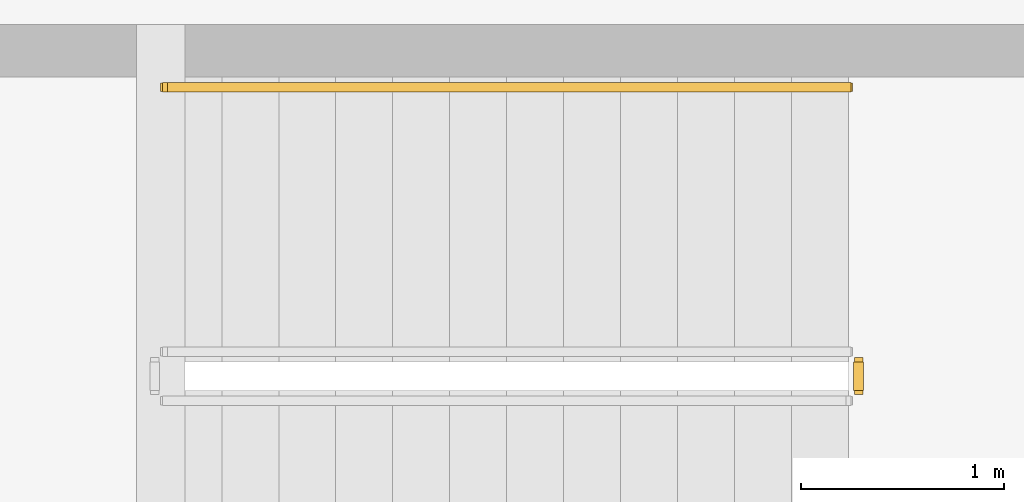
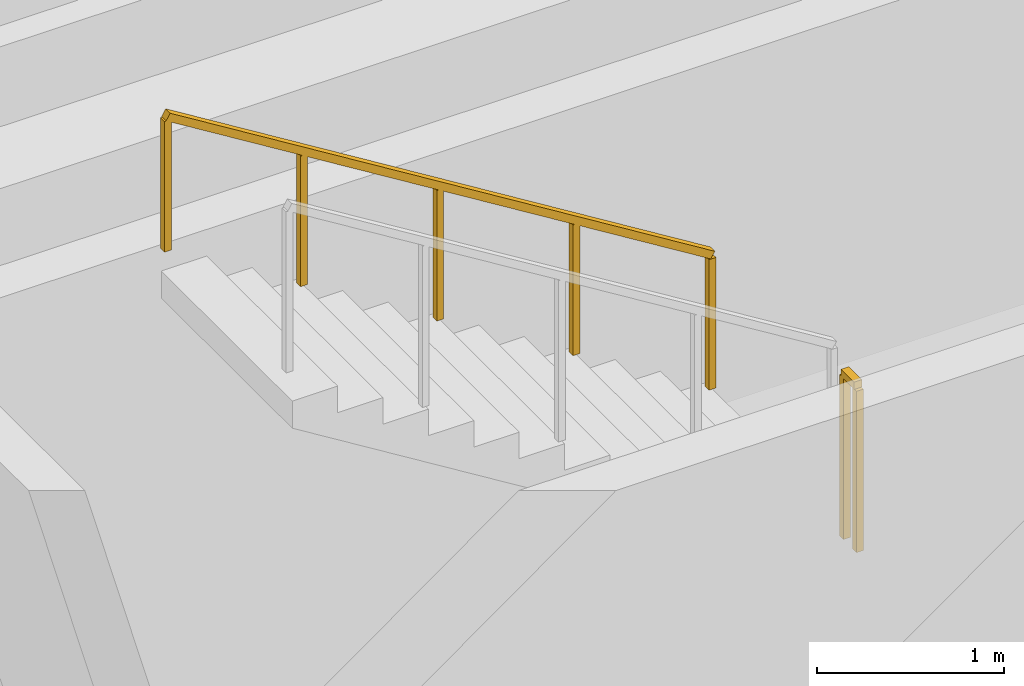
# One storey, part 14 of 14: 2 railings.
"""IFC4 building model written with IfcOpenShell, lengths in metres."""

from ifc_helpers import new_model, si_unit, direction, frame, origin, origin_2d, place, context, subcontext, project, spatial, rectangle, extrude, material, type_object, element, save


model = new_model("IFC4")

# Units and contexts
model_context = context("Model", 3, precision=1e-05, world=origin(), true_north=direction((0.0, 1.0)))
body_context = subcontext(model_context, "Body", "Model", "MODEL_VIEW")
ifc_project = project(units=[si_unit("LENGTHUNIT", "METRE"), si_unit("AREAUNIT", "SQUARE_METRE"), si_unit("VOLUMEUNIT", "CUBIC_METRE"), si_unit("PLANEANGLEUNIT", "RADIAN"), si_unit("MASSUNIT", "GRAM", prefix="KILO")], contexts=[model_context])

# Site, building, storey
site_placement = place(None, origin())
site = spatial("IfcSite", under=ifc_project, at=site_placement, CompositionType="ELEMENT")
building_placement = place(site_placement, origin())
building = spatial("IfcBuilding", under=site, at=building_placement, Name="Kiyonajd Concourse Tower", CompositionType="ELEMENT")
storey_placement = place(building_placement, frame((0.0, 0.0, 359.39990234375)))
storey = spatial("IfcBuildingStorey", under=building, at=storey_placement, Name="L90", CompositionType="ELEMENT", Elevation=359.39990234375)

# Railings
ifc_material_1 = material(Name="Steel ASTM A500 Grade C", Category="steel")
railing_type_1 = type_object("IfcRailingType", Name="RL-GRD-STR", PredefinedType="GUARDRAIL", material=ifc_material_1)
railing_1_placement = place(storey_placement, frame((59.889892578125, 41.47998046875, 2.25)))
element("IfcRailing", 1, at=railing_1_placement, inside=storey, type_object=railing_type_1, Name="L90 ST3 stair guard 2", PredefinedType="GUARDRAIL", context=body_context, shape_type="SweptSolid", body=[
    extrude(rectangle(XDim=0.048095703125, YDim=0.048095703125, at=origin_2d()), frame((0.0, 0.0, 1.076171875), z_axis=(0.0, 1.0, 0.0), x_axis=(-1.0, 0.0, 0.0)), (0.0, 0.0, 1.0), 0.14013671875),
    extrude(rectangle(XDim=0.0419921875, YDim=0.0419921875, at=origin_2d()), origin(), (0.0, 0.0, 1.0), 1.052001953125),
    extrude(rectangle(XDim=0.0419921875, YDim=0.0419921875, at=origin_2d()), frame((0.0, 0.14013671875, 0.0)), (0.0, 0.0, 1.0), 1.052001953125),
])
ifc_material_2 = material(Name="Brushed Stainless Steel Cab Assembly", Category="steel")
railing_type_2 = type_object("IfcRailingType", Name="RL-HND-900", PredefinedType="HANDRAIL", material=ifc_material_2)
railing_2_placement = place(storey_placement, frame((59.840087890625, 42.969970703125, 2.423095703125)))
element("IfcRailing", 2, at=railing_2_placement, inside=storey, type_object=railing_type_2, Name="L90 ST3 stair handrail 2", PredefinedType="HANDRAIL", context=body_context, shape_type="SweptSolid", body=[
    extrude(rectangle(XDim=0.048095703125, YDim=0.048095703125, at=origin_2d()), frame((0.0, 0.0, 0.8759765625), z_axis=(-0.850623216509, 0.0, 0.525775754039), x_axis=(0.0, -1.0, 0.0)), (0.0, 0.0, 1.0), 3.9501953125),
    extrude(rectangle(XDim=0.0419921875, YDim=0.0419921875, at=origin_2d()), origin(), (0.0, 0.0, 1.0), 0.851806640625),
    extrude(rectangle(XDim=0.0419921875, YDim=0.0419921875, at=origin_2d()), frame((-0.840087890625, 0.0, 0.519287109375)), (0.0, 0.0, 1.0), 0.851806640625),
    extrude(rectangle(XDim=0.0419921875, YDim=0.0419921875, at=origin_2d()), frame((-1.68017578125, 0.0, 1.03857421875)), (0.0, 0.0, 1.0), 0.851806640625),
    extrude(rectangle(XDim=0.0419921875, YDim=0.0419921875, at=origin_2d()), frame((-2.52001953125, 0.0, 1.5576171875)), (0.0, 0.0, 1.0), 0.851806640625),
    extrude(rectangle(XDim=0.0419921875, YDim=0.0419921875, at=origin_2d()), frame((-3.360107421875, 0.0, 2.076904296875)), (0.0, 0.0, 1.0), 0.851806640625),
])

save(model, "model.ifc")
